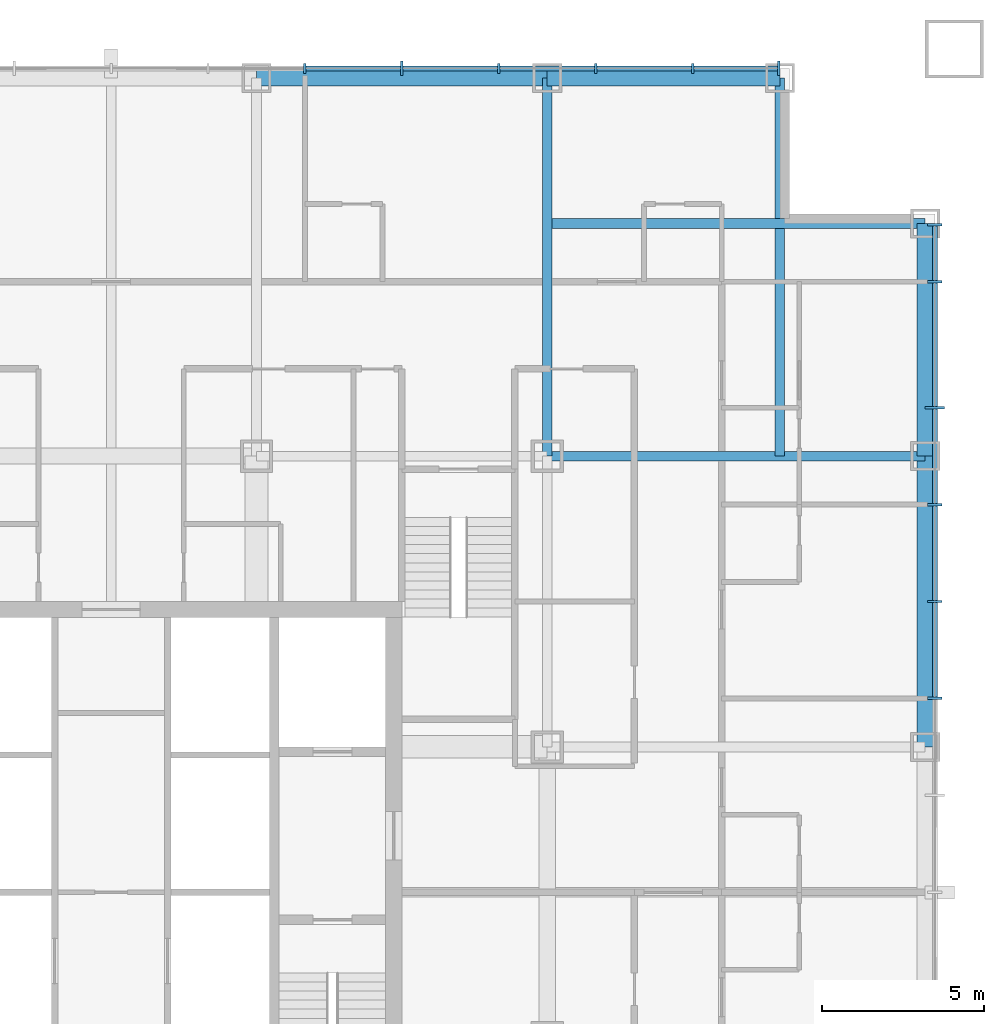
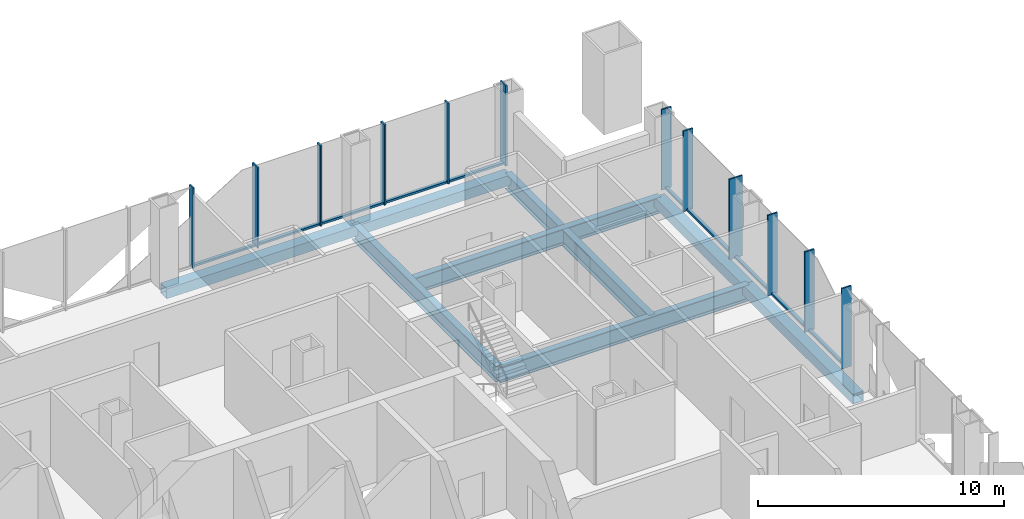
# One storey, part 5 of 13: 22 members, 8 beams, 2 elements without a shape of their own.
"""IFC4 building model written with IfcOpenShell, lengths in metres."""

import ifcopenshell
import ifcopenshell.guid

model = None  # the IFC model being written
_history = None  # IfcOwnerHistory: only IFC2X3 demands one
_inside = {}  # id of a spatial element -> (the spatial element, [elements in it])
_under = {}  # id of a project, library or spatial element -> (it, [spatial elements below it])
_declared = {}  # id of a project -> (the project, [libraries it declares])
_typed = {}  # id of a type object -> (the type object, [elements of that type])
_made_of = {}  # id of a material, layer set ... -> (it, [elements and type objects made of it])


def new_model(schema):
    """Start an empty IFC model of exactly this schema.

    Asked for "IFC4X3", IfcOpenShell would pick the latest addendum, in which some entities
    have other attributes; the version numbers below select the first issue.
    IFC2X3 requires an IfcOwnerHistory on every rooted entity: one is made here for all.
    """
    global model, _history
    if schema == "IFC4X3":
        model = ifcopenshell.file(schema_version=(4, 3, 0, 0))
    else:
        model = ifcopenshell.file(schema=schema)
    _inside.clear()
    _under.clear()
    _declared.clear()
    _typed.clear()
    _made_of.clear()
    _history = None
    if model.schema == "IFC2X3":
        org = make("IfcOrganization", Name="unknown")
        user = make(
            "IfcPersonAndOrganization",
            ThePerson=make("IfcPerson", FamilyName="unknown"),
            TheOrganization=org,
        )
        app = make(
            "IfcApplication",
            ApplicationDeveloper=org,
            Version="unknown",
            ApplicationFullName="unknown",
            ApplicationIdentifier="unknown",
        )
        _history = make(
            "IfcOwnerHistory",
            OwningUser=user,
            OwningApplication=app,
            ChangeAction="ADDED",
            CreationDate=0,
        )
    return model


def make(cls, **values):
    """One entity of the class cls with the attributes given. An attribute that is None is left unset."""
    return model.create_entity(
        cls, **{name: value for name, value in values.items() if value is not None}
    )


def rooted(cls, **values):
    """An entity with a GlobalId (a new one), such as an element, a storey or a relation."""
    return make(cls, GlobalId=ifcopenshell.guid.new(), OwnerHistory=_history, **values)


def si_unit(unit_type, name, prefix=None):
    """IfcSIUnit, for example si_unit("LENGTHUNIT", "METRE", prefix="MILLI")."""
    return make("IfcSIUnit", UnitType=unit_type, Prefix=prefix, Name=name)


def assignment(units):
    """IfcUnitAssignment: the units of a project."""
    return None if units is None else make("IfcUnitAssignment", Units=units)


def point(xyz):
    """IfcCartesianPoint."""
    return None if xyz is None else make("IfcCartesianPoint", Coordinates=xyz)


def direction(xyz):
    """IfcDirection."""
    return None if xyz is None else make("IfcDirection", DirectionRatios=xyz)


def frame(location, z_axis=None, x_axis=None):
    """IfcAxis2Placement3D, a coordinate frame: its origin and axes. An axis left out is left unset."""
    return make(
        "IfcAxis2Placement3D",
        Location=point(location),
        Axis=direction(z_axis),
        RefDirection=direction(x_axis),
    )


def frame_2d(location, x_axis=None):
    """IfcAxis2Placement2D, a coordinate frame in the plane: its origin and x axis."""
    return make(
        "IfcAxis2Placement2D", Location=point(location), RefDirection=direction(x_axis)
    )


def origin():
    """The frame at (0, 0, 0) with its axes left unset."""
    return frame((0.0, 0.0, 0.0))


def origin_2d():
    """The frame at (0, 0) in the plane with its x axis left unset."""
    return frame_2d((0.0, 0.0))


def place(relative_to, where):
    """IfcLocalPlacement: puts the frame where relative to a parent placement (None: the world)."""
    return make(
        "IfcLocalPlacement", PlacementRelTo=relative_to, RelativePlacement=where
    )


def context(
    kind, dimensions, precision=None, world=None, true_north=None, identifier=None
):
    """IfcGeometricRepresentationContext, for example the 3D "Model" context."""
    return make(
        "IfcGeometricRepresentationContext",
        ContextIdentifier=identifier,
        ContextType=kind,
        CoordinateSpaceDimension=dimensions,
        Precision=precision,
        WorldCoordinateSystem=world,
        TrueNorth=true_north,
    )


def subcontext(parent, identifier, kind, view, scale=None):
    """IfcGeometricRepresentationSubContext, for example "Body" below "Model"."""
    return make(
        "IfcGeometricRepresentationSubContext",
        ContextIdentifier=identifier,
        ContextType=kind,
        ParentContext=parent,
        TargetScale=scale,
        TargetView=view,
    )


def project(units=None, contexts=None):
    """IfcProject with its units and contexts."""
    return rooted(
        "IfcProject",
        Name="project",
        RepresentationContexts=contexts,
        UnitsInContext=assignment(units),
    )


def spatial(cls, under=None, at=None, **own):
    """A site, building, storey or space (cls), placed at a placement, below another one or the project."""
    s = rooted(cls, ObjectPlacement=at, **own)
    if under is not None:
        _under.setdefault(under.id(), (under, []))[1].append(s)
    return s


def profile(cls, at=None, kind="AREA", **sizes):
    """A parametric profile (cls). Its sizes go by their IFC names, for example OverallWidth=200.0."""
    return make(cls, ProfileType=kind, Position=at, **sizes)


def rectangle(**sizes):
    """IfcRectangleProfileDef."""
    return profile("IfcRectangleProfileDef", **sizes)


def hollow_rectangle(**sizes):
    """IfcRectangleHollowProfileDef."""
    return profile("IfcRectangleHollowProfileDef", **sizes)


def i_section(**sizes):
    """IfcIShapeProfileDef."""
    return profile("IfcIShapeProfileDef", **sizes)


def extrude(swept, where, along, depth):
    """IfcExtrudedAreaSolid: the profile swept, set in the frame where, extruded along a direction by depth."""
    return make(
        "IfcExtrudedAreaSolid",
        SweptArea=swept,
        Position=where,
        ExtrudedDirection=direction(along),
        Depth=depth,
    )


def shape(context_of_items, identifier, shape_type, items):
    """IfcShapeRepresentation: the items that make up one representation, for example the "Body"."""
    return make(
        "IfcShapeRepresentation",
        ContextOfItems=context_of_items,
        RepresentationIdentifier=identifier,
        RepresentationType=shape_type,
        Items=items,
    )


def material(Name=None, Category=None):
    """IfcMaterial."""
    return make("IfcMaterial", Name=Name, Category=Category)


def layer(
    of_material, thickness, ventilated=None, Name=None, Category=None, Priority=None
):
    """IfcMaterialLayer: one layer of a wall or slab, of a material (None: an air gap)."""
    return make(
        "IfcMaterialLayer",
        Material=of_material,
        LayerThickness=thickness,
        IsVentilated=ventilated,
        Name=Name,
        Category=Category,
        Priority=Priority,
    )


def layer_set(layers, Name=None):
    """IfcMaterialLayerSet."""
    return make("IfcMaterialLayerSet", MaterialLayers=layers, LayerSetName=Name)


def material_profile(
    of_material, cross_section, Name=None, Category=None, Priority=None
):
    """IfcMaterialProfile: a cross section and its material."""
    return make(
        "IfcMaterialProfile",
        Name=Name,
        Material=of_material,
        Profile=cross_section,
        Priority=Priority,
        Category=Category,
    )


def profile_set(profiles, Name=None, composite=None):
    """IfcMaterialProfileSet."""
    return make(
        "IfcMaterialProfileSet",
        Name=Name,
        MaterialProfiles=profiles,
        CompositeProfile=composite,
    )


def made_of(thing, what):
    """Note that an element or type object is made of a material, layer set ...; save() writes the relation."""
    if what is not None:
        _made_of.setdefault(what.id(), (what, []))[1].append(thing)
    return thing


def type_object(cls, material=None, **own):
    """A type object (cls), such as IfcWallType, which elements share."""
    return made_of(rooted(cls, **own), material)


def element(
    cls,
    number,
    at=None,
    inside=None,
    cuts=None,
    type_object=None,
    material=None,
    context=None,
    identifier="Body",
    shape_type=None,
    held_by="IfcProductDefinitionShape",
    body=None,
    shapes=None,
    **own,
):
    """One element of the class cls, such as IfcWall. Its Tag is "e" and its number.

    at: its placement. inside: the storey or other place that contains it. cuts: it is an
    opening in that element (IfcRelVoidsElement). A single representation is given by context,
    identifier, shape_type and body (its items); several are given by shapes. held_by: the class
    of the entity that holds the representations. save() writes the other relations.
    """
    e = rooted(cls, Tag="e%d" % number, ObjectPlacement=at, **own)
    if body is not None:
        shapes = [shape(context, identifier, shape_type, body)]
    if shapes is not None:
        e.Representation = make(held_by, Representations=shapes)
    if inside is not None:
        _inside.setdefault(inside.id(), (inside, []))[1].append(e)
    if cuts is not None:
        rooted(
            "IfcRelVoidsElement", RelatingBuildingElement=cuts, RelatedOpeningElement=e
        )
    if type_object is not None:
        _typed.setdefault(type_object.id(), (type_object, []))[1].append(e)
    return made_of(e, material)


def aggregate(whole, parts):
    """IfcRelAggregates: a whole, such as a stair, and the parts it consists of."""
    return rooted("IfcRelAggregates", RelatingObject=whole, RelatedObjects=parts)


def save(model, path):
    """Write the relations noted so far, then the file.

    IfcRelAggregates (storeys below a building ...), IfcRelContainedInSpatialStructure (elements
    in a storey), IfcRelDefinesByType, IfcRelAssociatesMaterial and IfcRelDeclares: one each for
    every whole, place, type object, material and project.
    """
    for whole, parts in _under.values():
        aggregate(whole, parts)
    for where, things in _inside.values():
        rooted(
            "IfcRelContainedInSpatialStructure",
            RelatedElements=things,
            RelatingStructure=where,
        )
    for kind, things in _typed.values():
        rooted("IfcRelDefinesByType", RelatedObjects=things, RelatingType=kind)
    for what, things in _made_of.values():
        rooted("IfcRelAssociatesMaterial", RelatedObjects=things, RelatingMaterial=what)
    for by, libraries in _declared.values():
        rooted("IfcRelDeclares", RelatingContext=by, RelatedDefinitions=libraries)
    model.write(path)


model = new_model("IFC4")

# Units and contexts
model_context = context("Model", 3, precision=1e-05, world=origin(), true_north=direction((0.0, 1.0)))
body_context = subcontext(model_context, "Body", "Model", "MODEL_VIEW")
ifc_project = project(units=[si_unit("LENGTHUNIT", "METRE"), si_unit("AREAUNIT", "SQUARE_METRE"), si_unit("VOLUMEUNIT", "CUBIC_METRE"), si_unit("PLANEANGLEUNIT", "RADIAN"), si_unit("MASSUNIT", "GRAM", prefix="KILO")], contexts=[model_context])

# Site, building, storey
site_placement = place(None, origin())
site = spatial("IfcSite", under=ifc_project, at=site_placement, CompositionType="ELEMENT")
building_placement = place(site_placement, origin())
building = spatial("IfcBuilding", under=site, at=building_placement, Name="Malebo Sky Hospital", CompositionType="ELEMENT")
storey_placement = place(building_placement, frame((0.0, 0.0, 79.0)))
storey = spatial("IfcBuildingStorey", under=building, at=storey_placement, Name="L18", CompositionType="ELEMENT", Elevation=79.0)

# Curtain wall, members
ifc_material_1 = material(Name="Anodised aluminium, natural silver", Category="aluminium")
ifc_layer_1 = layer(ifc_material_1, 0.25)
ifc_layer_set_1 = layer_set([ifc_layer_1], Name="WARD CURTAIN WALL NORTH AND SOUTH")
curtain_wall_type_1 = type_object("IfcCurtainWallType", Name="WARD CURTAIN WALL NORTH AND SOUTH", PredefinedType="NOTDEFINED", material=ifc_layer_set_1)
curtain_wall_1_placement = place(storey_placement, origin())
curtain_wall_1 = element("IfcCurtainWall", 1, at=curtain_wall_1_placement, inside=storey, type_object=curtain_wall_type_1, Name="NS curtain wall N", PredefinedType="NOTDEFINED")
ifc_material_profile_1 = material_profile(ifc_material_1, rectangle(XDim=0.14990234375, YDim=0.10009765625, at=origin_2d()), Name="ALUMINIUM TRANSOM 150x100")
ifc_profile_set_1 = profile_set([ifc_material_profile_1], Name="Anodised aluminium, natural silver")
member_type_1 = type_object("IfcMemberType", Name="ALUMINIUM TRANSOM 150x100", PredefinedType="USERDEFINED", material=ifc_profile_set_1)
member_1_placement = place(storey_placement, frame((66.03759765625, 87.5, 0.050048828125), z_axis=(1.0, 0.0, 0.0), x_axis=(0.0, 1.0, 0.0)))
member_1 = element("IfcMember", 2, at=member_1_placement, type_object=member_type_1, Name="Transom 10", ObjectType="TRANSOM", PredefinedType="USERDEFINED", context=body_context, shape_type="SweptSolid", body=[
    extrude(rectangle(XDim=0.14990234375, YDim=0.10009765625, at=origin_2d()), origin(), (0.0, 0.0, 1.0), 2.9248046875),
])
member_2_placement = place(storey_placement, frame((69.03759765625, 87.5, 0.050048828125), z_axis=(1.0, 0.0, 0.0), x_axis=(0.0, 1.0, 0.0)))
member_2 = element("IfcMember", 3, at=member_2_placement, type_object=member_type_1, Name="Transom 11", ObjectType="TRANSOM", PredefinedType="USERDEFINED", context=body_context, shape_type="SweptSolid", body=[
    extrude(rectangle(XDim=0.14990234375, YDim=0.10009765625, at=origin_2d()), origin(), (0.0, 0.0, 1.0), 2.9248046875),
])
member_3_placement = place(storey_placement, frame((72.03759765625, 87.5, 0.050048828125), z_axis=(1.0, 0.0, 0.0), x_axis=(0.0, 1.0, 0.0)))
member_3 = element("IfcMember", 4, at=member_3_placement, type_object=member_type_1, Name="Transom 12", ObjectType="TRANSOM", PredefinedType="USERDEFINED", context=body_context, shape_type="SweptSolid", body=[
    extrude(rectangle(XDim=0.14990234375, YDim=0.10009765625, at=origin_2d()), origin(), (0.0, 0.0, 1.0), 2.9248046875),
])
member_4_placement = place(storey_placement, frame((75.03759765625, 87.5, 0.050048828125), z_axis=(1.0, 0.0, 0.0), x_axis=(0.0, 1.0, 0.0)))
member_4 = element("IfcMember", 5, at=member_4_placement, type_object=member_type_1, Name="Transom 13", ObjectType="TRANSOM", PredefinedType="USERDEFINED", context=body_context, shape_type="SweptSolid", body=[
    extrude(rectangle(XDim=0.14990234375, YDim=0.10009765625, at=origin_2d()), origin(), (0.0, 0.0, 1.0), 2.9248046875),
])
member_5_placement = place(storey_placement, frame((78.03759765625, 87.5, 0.050048828125), z_axis=(1.0, 0.0, 0.0), x_axis=(0.0, 1.0, 0.0)))
member_5 = element("IfcMember", 6, at=member_5_placement, type_object=member_type_1, Name="Transom 14", ObjectType="TRANSOM", PredefinedType="USERDEFINED", context=body_context, shape_type="SweptSolid", body=[
    extrude(rectangle(XDim=0.14990234375, YDim=0.10009765625, at=origin_2d()), origin(), (0.0, 0.0, 1.0), 2.58740234375),
])

ifc_layer_2 = layer(ifc_material_1, 0.25)
ifc_layer_set_2 = layer_set([ifc_layer_2], Name="WARD CURTAIN WALL EAST AND WEST")
curtain_wall_type_2 = type_object("IfcCurtainWallType", Name="WARD CURTAIN WALL EAST AND WEST", PredefinedType="NOTDEFINED", material=ifc_layer_set_2)
curtain_wall_2_placement = place(storey_placement, origin())
curtain_wall_2 = element("IfcCurtainWall", 7, at=curtain_wall_2_placement, inside=storey, type_object=curtain_wall_type_2, Name="EW curtain wall E", PredefinedType="NOTDEFINED")
member_6_placement = place(storey_placement, frame((85.5, 82.625, 0.050048828125), z_axis=(0.0, -1.0, 0.0), x_axis=(1.0, 0.0, 0.0)))
member_6 = element("IfcMember", 8, at=member_6_placement, type_object=member_type_1, Name="Transom 1", ObjectType="TRANSOM", PredefinedType="USERDEFINED", context=body_context, shape_type="SweptSolid", body=[
    extrude(rectangle(XDim=0.14990234375, YDim=0.10009765625, at=origin_2d()), origin(), (0.0, 0.0, 1.0), 1.6875),
])
member_7_placement = place(storey_placement, frame((85.5, 80.862548828125, 0.050048828125), z_axis=(0.0, -1.0, 0.0), x_axis=(1.0, 0.0, 0.0)))
member_7 = element("IfcMember", 9, at=member_7_placement, type_object=member_type_1, Name="Transom 2", ObjectType="TRANSOM", PredefinedType="USERDEFINED", context=body_context, shape_type="SweptSolid", body=[
    extrude(rectangle(XDim=0.14990234375, YDim=0.10009765625, at=origin_2d()), origin(), (0.0, 0.0, 1.0), 3.824951171875),
])
member_8_placement = place(storey_placement, frame((85.5, 76.96240234375, 0.050048828125), z_axis=(0.0, -1.0, 0.0), x_axis=(1.0, 0.0, 0.0)))
member_8 = element("IfcMember", 10, at=member_8_placement, type_object=member_type_1, Name="Transom 3", ObjectType="TRANSOM", PredefinedType="USERDEFINED", context=body_context, shape_type="SweptSolid", body=[
    extrude(rectangle(XDim=0.14990234375, YDim=0.10009765625, at=origin_2d()), origin(), (0.0, 0.0, 1.0), 2.9248046875),
])
member_9_placement = place(storey_placement, frame((85.5, 73.96240234375, 0.050048828125), z_axis=(0.0, -1.0, 0.0), x_axis=(1.0, 0.0, 0.0)))
member_9 = element("IfcMember", 11, at=member_9_placement, type_object=member_type_1, Name="Transom 4", ObjectType="TRANSOM", PredefinedType="USERDEFINED", context=body_context, shape_type="SweptSolid", body=[
    extrude(rectangle(XDim=0.14990234375, YDim=0.10009765625, at=origin_2d()), origin(), (0.0, 0.0, 1.0), 2.9248046875),
])
member_10_placement = place(storey_placement, frame((85.5, 70.96240234375, 0.050048828125), z_axis=(0.0, -1.0, 0.0), x_axis=(1.0, 0.0, 0.0)))
member_10 = element("IfcMember", 12, at=member_10_placement, type_object=member_type_1, Name="Transom 5", ObjectType="TRANSOM", PredefinedType="USERDEFINED", context=body_context, shape_type="SweptSolid", body=[
    extrude(rectangle(XDim=0.14990234375, YDim=0.10009765625, at=origin_2d()), origin(), (0.0, 0.0, 1.0), 2.9248046875),
])

# Member
ifc_material_profile_2 = material_profile(ifc_material_1, rectangle(XDim=0.074951171875, YDim=0.300048828125, at=origin_2d()), Name="CW1 ALUMINIUM FIN MULLION 75x300")
ifc_profile_set_2 = profile_set([ifc_material_profile_2], Name="Anodised aluminium, natural silver")
member_type_2 = type_object("IfcMemberType", Name="CW1 ALUMINIUM FIN MULLION 75x300", PredefinedType="MULLION", material=ifc_profile_set_2)
member_11_placement = place(storey_placement, frame((66.0, 87.5, 0.0), z_axis=(0.0, 0.0, 1.0), x_axis=(1.0, 0.0, 0.0)))
member_11 = element("IfcMember", 13, at=member_11_placement, type_object=member_type_2, Name="Fin mullion 10", PredefinedType="MULLION", context=body_context, shape_type="SweptSolid", body=[
    extrude(rectangle(XDim=0.074951171875, YDim=0.300048828125, at=origin_2d()), origin(), (0.0, 0.0, 1.0), 4.0),
])

member_12_placement = place(storey_placement, frame((72.0, 87.5, 0.0), z_axis=(0.0, 0.0, 1.0), x_axis=(1.0, 0.0, 0.0)))
member_12 = element("IfcMember", 14, at=member_12_placement, type_object=member_type_2, Name="Fin mullion 12", PredefinedType="MULLION", context=body_context, shape_type="SweptSolid", body=[
    extrude(rectangle(XDim=0.074951171875, YDim=0.300048828125, at=origin_2d()), origin(), (0.0, 0.0, 1.0), 4.0),
])

member_13_placement = place(storey_placement, frame((75.0, 87.5, 0.0), z_axis=(0.0, 0.0, 1.0), x_axis=(1.0, 0.0, 0.0)))
member_13 = element("IfcMember", 15, at=member_13_placement, type_object=member_type_2, Name="Fin mullion 13", PredefinedType="MULLION", context=body_context, shape_type="SweptSolid", body=[
    extrude(rectangle(XDim=0.074951171875, YDim=0.300048828125, at=origin_2d()), origin(), (0.0, 0.0, 1.0), 4.0),
])

member_14_placement = place(storey_placement, frame((78.0, 87.5, 0.0), z_axis=(0.0, 0.0, 1.0), x_axis=(1.0, 0.0, 0.0)))
member_14 = element("IfcMember", 16, at=member_14_placement, type_object=member_type_2, Name="Fin mullion 14", PredefinedType="MULLION", context=body_context, shape_type="SweptSolid", body=[
    extrude(rectangle(XDim=0.074951171875, YDim=0.300048828125, at=origin_2d()), origin(), (0.0, 0.0, 1.0), 4.0),
])

ifc_material_profile_3 = material_profile(ifc_material_1, rectangle(XDim=0.074951171875, YDim=0.449951171875, at=origin_2d()), Name="CW1 ALUMINIUM FIN MULLION 75x450")
ifc_profile_set_3 = profile_set([ifc_material_profile_3], Name="Anodised aluminium, natural silver")
member_type_3 = type_object("IfcMemberType", Name="CW1 ALUMINIUM FIN MULLION 75x450", PredefinedType="MULLION", material=ifc_profile_set_3)
member_15_placement = place(storey_placement, frame((69.0, 87.5, 0.0), z_axis=(0.0, 0.0, 1.0), x_axis=(1.0, 0.0, 0.0)))
member_15 = element("IfcMember", 17, at=member_15_placement, type_object=member_type_3, Name="Fin mullion 11", PredefinedType="MULLION", context=body_context, shape_type="SweptSolid", body=[
    extrude(rectangle(XDim=0.074951171875, YDim=0.449951171875, at=origin_2d()), origin(), (0.0, 0.0, 1.0), 4.0),
])

member_16_placement = place(storey_placement, frame((80.66259765625, 87.5, 0.0), z_axis=(0.0, 0.0, 1.0), x_axis=(1.0, 0.0, 0.0)))
member_16 = element("IfcMember", 18, at=member_16_placement, type_object=member_type_3, Name="Fin mullion 15", PredefinedType="MULLION", context=body_context, shape_type="SweptSolid", body=[
    extrude(rectangle(XDim=0.074951171875, YDim=0.449951171875, at=origin_2d()), origin(), (0.0, 0.0, 1.0), 4.0),
])

aggregate(curtain_wall_1, [member_11, member_15, member_12, member_13, member_14, member_16, member_1, member_2, member_3, member_4, member_5])

ifc_material_profile_4 = material_profile(ifc_material_1, rectangle(XDim=0.074951171875, YDim=0.449951171875, at=origin_2d()), Name="CW2 ALUMINIUM FIN MULLION 75x450")
ifc_profile_set_4 = profile_set([ifc_material_profile_4], Name="Anodised aluminium, natural silver")
member_type_4 = type_object("IfcMemberType", Name="CW2 ALUMINIUM FIN MULLION 75x450", PredefinedType="MULLION", material=ifc_profile_set_4)
member_17_placement = place(storey_placement, frame((85.5, 82.66259765625, 0.0), z_axis=(0.0, 0.0, 1.0), x_axis=(0.0, -1.0, 0.0)))
member_17 = element("IfcMember", 19, at=member_17_placement, type_object=member_type_4, Name="Fin mullion 1", PredefinedType="MULLION", context=body_context, shape_type="SweptSolid", body=[
    extrude(rectangle(XDim=0.074951171875, YDim=0.449951171875, at=origin_2d()), origin(), (0.0, 0.0, 1.0), 4.0),
])

member_18_placement = place(storey_placement, frame((85.5, 80.89990234375, 0.0), z_axis=(0.0, 0.0, 1.0), x_axis=(0.0, -1.0, 0.0)))
member_18 = element("IfcMember", 20, at=member_18_placement, type_object=member_type_4, Name="Fin mullion 2", PredefinedType="MULLION", context=body_context, shape_type="SweptSolid", body=[
    extrude(rectangle(XDim=0.074951171875, YDim=0.449951171875, at=origin_2d()), origin(), (0.0, 0.0, 1.0), 4.0),
])

member_19_placement = place(storey_placement, frame((85.5, 74.0, 0.0), z_axis=(0.0, 0.0, 1.0), x_axis=(0.0, -1.0, 0.0)))
member_19 = element("IfcMember", 21, at=member_19_placement, type_object=member_type_4, Name="Fin mullion 4", PredefinedType="MULLION", context=body_context, shape_type="SweptSolid", body=[
    extrude(rectangle(XDim=0.074951171875, YDim=0.449951171875, at=origin_2d()), origin(), (0.0, 0.0, 1.0), 4.0),
])

member_20_placement = place(storey_placement, frame((85.5, 71.0, 0.0), z_axis=(0.0, 0.0, 1.0), x_axis=(0.0, -1.0, 0.0)))
member_20 = element("IfcMember", 22, at=member_20_placement, type_object=member_type_4, Name="Fin mullion 5", PredefinedType="MULLION", context=body_context, shape_type="SweptSolid", body=[
    extrude(rectangle(XDim=0.074951171875, YDim=0.449951171875, at=origin_2d()), origin(), (0.0, 0.0, 1.0), 4.0),
])

member_21_placement = place(storey_placement, frame((85.5, 68.0, 0.0), z_axis=(0.0, 0.0, 1.0), x_axis=(0.0, -1.0, 0.0)))
member_21 = element("IfcMember", 23, at=member_21_placement, type_object=member_type_4, Name="Fin mullion 6", PredefinedType="MULLION", context=body_context, shape_type="SweptSolid", body=[
    extrude(rectangle(XDim=0.074951171875, YDim=0.449951171875, at=origin_2d()), origin(), (0.0, 0.0, 1.0), 4.0),
])

ifc_material_profile_5 = material_profile(ifc_material_1, rectangle(XDim=0.074951171875, YDim=0.60009765625, at=origin_2d()), Name="CW2 ALUMINIUM FIN MULLION 75x600")
ifc_profile_set_5 = profile_set([ifc_material_profile_5], Name="Anodised aluminium, natural silver")
member_type_5 = type_object("IfcMemberType", Name="CW2 ALUMINIUM FIN MULLION 75x600", PredefinedType="MULLION", material=ifc_profile_set_5)
member_22_placement = place(storey_placement, frame((85.5, 77.0, 0.0), z_axis=(0.0, 0.0, 1.0), x_axis=(0.0, -1.0, 0.0)))
member_22 = element("IfcMember", 24, at=member_22_placement, type_object=member_type_5, Name="Fin mullion 3", PredefinedType="MULLION", context=body_context, shape_type="SweptSolid", body=[
    extrude(rectangle(XDim=0.074951171875, YDim=0.60009765625, at=origin_2d()), origin(), (0.0, 0.0, 1.0), 4.0),
])

aggregate(curtain_wall_2, [member_17, member_18, member_22, member_19, member_20, member_21, member_6, member_7, member_8, member_9, member_10])

# Beams
ifc_material_2 = material(Name="Steel S460", Category="steel")
ifc_material_profile_6 = material_profile(ifc_material_2, hollow_rectangle(XDim=0.5, YDim=0.5, WallThickness=0.030029296875, at=origin_2d()), Name="BOX 500x500x30")
ifc_profile_set_6 = profile_set([ifc_material_profile_6], Name="Steel S460")
beam_type_1 = type_object("IfcBeamType", Name="EDGE BEAM BOX 500x500x30", PredefinedType="BEAM", material=ifc_profile_set_6)
beam_1_placement = place(storey_placement, frame((85.199951171875, 66.5, -0.5), z_axis=(0.0, 1.0, 0.0), x_axis=(-1.0, 0.0, 0.0)))
element("IfcBeam", 25, at=beam_1_placement, inside=storey, type_object=beam_type_1, Name="Beam 032 L18", PredefinedType="BEAM", context=body_context, shape_type="SweptSolid", body=[
    extrude(hollow_rectangle(XDim=0.5, YDim=0.5, WallThickness=0.030029296875, at=origin_2d()), origin(), (0.0, 0.0, 1.0), 9.0),
])
beam_2_placement = place(storey_placement, frame((85.199951171875, 75.5, -0.5), z_axis=(0.0, 1.0, 0.0), x_axis=(-1.0, 0.0, 0.0)))
element("IfcBeam", 26, at=beam_2_placement, inside=storey, type_object=beam_type_1, Name="Beam 033 L18", PredefinedType="BEAM", context=body_context, shape_type="SweptSolid", body=[
    extrude(hollow_rectangle(XDim=0.5, YDim=0.5, WallThickness=0.030029296875, at=origin_2d()), origin(), (0.0, 0.0, 1.0), 7.199951171875),
])
beam_3_placement = place(storey_placement, frame((64.5, 87.199951171875, -0.5), z_axis=(1.0, 0.0, 0.0), x_axis=(0.0, 1.0, 0.0)))
element("IfcBeam", 27, at=beam_3_placement, inside=storey, type_object=beam_type_1, Name="Beam 066 L18", PredefinedType="BEAM", context=body_context, shape_type="SweptSolid", body=[
    extrude(hollow_rectangle(XDim=0.5, YDim=0.5, WallThickness=0.030029296875, at=origin_2d()), origin(), (0.0, 0.0, 1.0), 9.0),
])
beam_4_placement = place(storey_placement, frame((73.5, 87.199951171875, -0.5), z_axis=(1.0, 0.0, 0.0), x_axis=(0.0, 1.0, 0.0)))
element("IfcBeam", 28, at=beam_4_placement, inside=storey, type_object=beam_type_1, Name="Beam 067 L18", PredefinedType="BEAM", context=body_context, shape_type="SweptSolid", body=[
    extrude(hollow_rectangle(XDim=0.5, YDim=0.5, WallThickness=0.030029296875, at=origin_2d()), origin(), (0.0, 0.0, 1.0), 7.199951171875),
])
ifc_material_3 = material(Name="Steel S355", Category="steel")
ifc_material_profile_7 = material_profile(ifc_material_3, i_section(OverallWidth=0.300048828125, OverallDepth=0.800048828125, WebThickness=0.017578125, FlangeThickness=0.032958984375, FilletRadius=0.030029296875, at=origin_2d()), Name="HEB 800")
ifc_profile_set_7 = profile_set([ifc_material_profile_7], Name="Steel S355")
beam_type_2 = type_object("IfcBeamType", Name="FLOOR BEAM HEB 800", PredefinedType="BEAM", material=ifc_profile_set_7)
for number, where, z_axis, x_axis, name in (
    (29, (80.699951171875, 75.5, -0.64990234375), (0.0, 1.0, 0.0), (-1.0, 0.0, 0.0), "Beam 028 L18"),
    (30, (73.5, 82.699951171875, -0.64990234375), (1.0, 0.0, 0.0), (0.0, 1.0, 0.0), "Beam 062 L18"),
):
    element("IfcBeam", number, at=place(storey_placement, frame(where, z_axis=z_axis, x_axis=x_axis)), inside=storey, type_object=beam_type_2, Name=name, PredefinedType="BEAM", context=body_context, shape_type="SweptSolid", body=[
        extrude(i_section(OverallWidth=0.300048828125, OverallDepth=0.800048828125, WebThickness=0.017578125, FlangeThickness=0.032958984375, FilletRadius=0.030029296875, at=origin_2d()), origin(), (0.0, 0.0, 1.0), 11.699951171875),
    ])
ifc_material_profile_8 = material_profile(ifc_material_3, i_section(OverallWidth=0.300048828125, OverallDepth=0.800048828125, WebThickness=0.017578125, FlangeThickness=0.032958984375, FilletRadius=0.030029296875, at=origin_2d()), Name="HEB 800")
ifc_profile_set_8 = profile_set([ifc_material_profile_8], Name="Steel S355")
beam_type_3 = type_object("IfcBeamType", Name="FLOOR GIRDER HEB 800", PredefinedType="BEAM", material=ifc_profile_set_8)
for number, where, z_axis, x_axis, name in (
    (31, (73.5, 75.5, -0.64990234375), (0.0, 1.0, 0.0), (-1.0, 0.0, 0.0), "Beam 026 L18"),
    (32, (73.5, 75.5, -0.64990234375), (1.0, 0.0, 0.0), (0.0, 1.0, 0.0), "Beam 060 L18"),
):
    element("IfcBeam", number, at=place(storey_placement, frame(where, z_axis=z_axis, x_axis=x_axis)), inside=storey, type_object=beam_type_3, Name=name, PredefinedType="BEAM", context=body_context, shape_type="SweptSolid", body=[
        extrude(i_section(OverallWidth=0.300048828125, OverallDepth=0.800048828125, WebThickness=0.017578125, FlangeThickness=0.032958984375, FilletRadius=0.030029296875, at=origin_2d()), origin(), (0.0, 0.0, 1.0), 11.699951171875),
    ])

save(model, "model.ifc")
